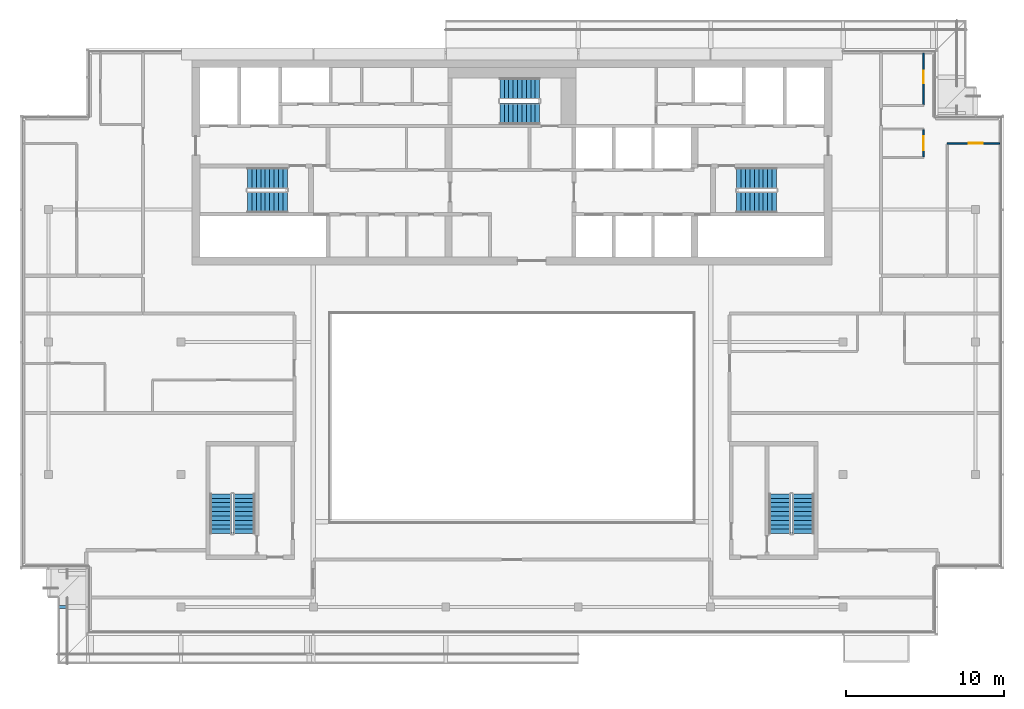
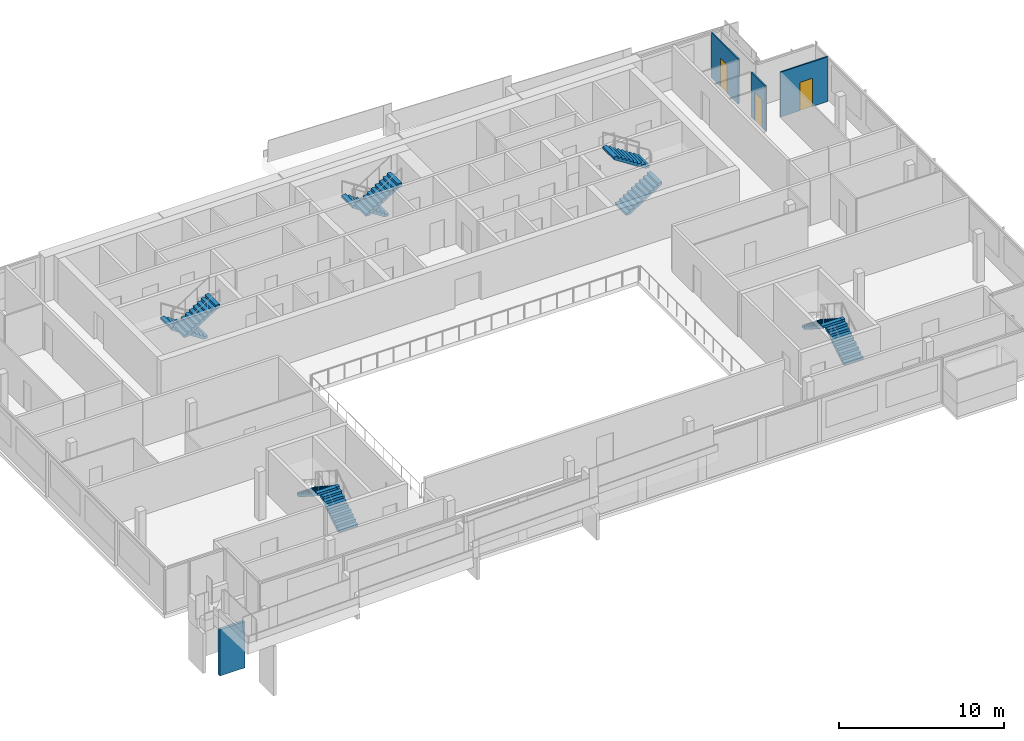
# One storey, part 16 of 22: 10 stair flights, 3 doors, 3 walls, 1 discrete accessory, 3 openings, 5 elements without a shape of their own.
"""IFC4 building model written with IfcOpenShell, lengths in metres."""

import ifcopenshell
import ifcopenshell.guid

model = None  # the IFC model being written
_history = None  # IfcOwnerHistory: only IFC2X3 demands one
_inside = {}  # id of a spatial element -> (the spatial element, [elements in it])
_under = {}  # id of a project, library or spatial element -> (it, [spatial elements below it])
_declared = {}  # id of a project -> (the project, [libraries it declares])
_typed = {}  # id of a type object -> (the type object, [elements of that type])
_made_of = {}  # id of a material, layer set ... -> (it, [elements and type objects made of it])


def new_model(schema):
    """Start an empty IFC model of exactly this schema.

    Asked for "IFC4X3", IfcOpenShell would pick the latest addendum, in which some entities
    have other attributes; the version numbers below select the first issue.
    IFC2X3 requires an IfcOwnerHistory on every rooted entity: one is made here for all.
    """
    global model, _history
    if schema == "IFC4X3":
        model = ifcopenshell.file(schema_version=(4, 3, 0, 0))
    else:
        model = ifcopenshell.file(schema=schema)
    _inside.clear()
    _under.clear()
    _declared.clear()
    _typed.clear()
    _made_of.clear()
    _history = None
    if model.schema == "IFC2X3":
        org = make("IfcOrganization", Name="unknown")
        user = make(
            "IfcPersonAndOrganization",
            ThePerson=make("IfcPerson", FamilyName="unknown"),
            TheOrganization=org,
        )
        app = make(
            "IfcApplication",
            ApplicationDeveloper=org,
            Version="unknown",
            ApplicationFullName="unknown",
            ApplicationIdentifier="unknown",
        )
        _history = make(
            "IfcOwnerHistory",
            OwningUser=user,
            OwningApplication=app,
            ChangeAction="ADDED",
            CreationDate=0,
        )
    return model


def make(cls, **values):
    """One entity of the class cls with the attributes given. An attribute that is None is left unset."""
    return model.create_entity(
        cls, **{name: value for name, value in values.items() if value is not None}
    )


def rooted(cls, **values):
    """An entity with a GlobalId (a new one), such as an element, a storey or a relation."""
    return make(cls, GlobalId=ifcopenshell.guid.new(), OwnerHistory=_history, **values)


def si_unit(unit_type, name, prefix=None):
    """IfcSIUnit, for example si_unit("LENGTHUNIT", "METRE", prefix="MILLI")."""
    return make("IfcSIUnit", UnitType=unit_type, Prefix=prefix, Name=name)


def assignment(units):
    """IfcUnitAssignment: the units of a project."""
    return None if units is None else make("IfcUnitAssignment", Units=units)


def point(xyz):
    """IfcCartesianPoint."""
    return None if xyz is None else make("IfcCartesianPoint", Coordinates=xyz)


def direction(xyz):
    """IfcDirection."""
    return None if xyz is None else make("IfcDirection", DirectionRatios=xyz)


def frame(location, z_axis=None, x_axis=None):
    """IfcAxis2Placement3D, a coordinate frame: its origin and axes. An axis left out is left unset."""
    return make(
        "IfcAxis2Placement3D",
        Location=point(location),
        Axis=direction(z_axis),
        RefDirection=direction(x_axis),
    )


def frame_2d(location, x_axis=None):
    """IfcAxis2Placement2D, a coordinate frame in the plane: its origin and x axis."""
    return make(
        "IfcAxis2Placement2D", Location=point(location), RefDirection=direction(x_axis)
    )


def origin():
    """The frame at (0, 0, 0) with its axes left unset."""
    return frame((0.0, 0.0, 0.0))


def origin_2d():
    """The frame at (0, 0) in the plane with its x axis left unset."""
    return frame_2d((0.0, 0.0))


def place(relative_to, where):
    """IfcLocalPlacement: puts the frame where relative to a parent placement (None: the world)."""
    return make(
        "IfcLocalPlacement", PlacementRelTo=relative_to, RelativePlacement=where
    )


def context(
    kind, dimensions, precision=None, world=None, true_north=None, identifier=None
):
    """IfcGeometricRepresentationContext, for example the 3D "Model" context."""
    return make(
        "IfcGeometricRepresentationContext",
        ContextIdentifier=identifier,
        ContextType=kind,
        CoordinateSpaceDimension=dimensions,
        Precision=precision,
        WorldCoordinateSystem=world,
        TrueNorth=true_north,
    )


def subcontext(parent, identifier, kind, view, scale=None):
    """IfcGeometricRepresentationSubContext, for example "Body" below "Model"."""
    return make(
        "IfcGeometricRepresentationSubContext",
        ContextIdentifier=identifier,
        ContextType=kind,
        ParentContext=parent,
        TargetScale=scale,
        TargetView=view,
    )


def project(units=None, contexts=None):
    """IfcProject with its units and contexts."""
    return rooted(
        "IfcProject",
        Name="project",
        RepresentationContexts=contexts,
        UnitsInContext=assignment(units),
    )


def spatial(cls, under=None, at=None, **own):
    """A site, building, storey or space (cls), placed at a placement, below another one or the project."""
    s = rooted(cls, ObjectPlacement=at, **own)
    if under is not None:
        _under.setdefault(under.id(), (under, []))[1].append(s)
    return s


def polyline(points):
    """IfcPolyline through the points."""
    return make("IfcPolyline", Points=[point(p) for p in points])


def profile(cls, at=None, kind="AREA", **sizes):
    """A parametric profile (cls). Its sizes go by their IFC names, for example OverallWidth=200.0."""
    return make(cls, ProfileType=kind, Position=at, **sizes)


def rectangle(**sizes):
    """IfcRectangleProfileDef."""
    return profile("IfcRectangleProfileDef", **sizes)


def outline(outer, holes=None, kind="AREA"):
    """IfcArbitraryClosedProfileDef: a profile drawn as a closed curve; with holes, ...WithVoids."""
    if holes is None:
        return make("IfcArbitraryClosedProfileDef", ProfileType=kind, OuterCurve=outer)
    return make(
        "IfcArbitraryProfileDefWithVoids",
        ProfileType=kind,
        OuterCurve=outer,
        InnerCurves=holes,
    )


def extrude(swept, where, along, depth):
    """IfcExtrudedAreaSolid: the profile swept, set in the frame where, extruded along a direction by depth."""
    return make(
        "IfcExtrudedAreaSolid",
        SweptArea=swept,
        Position=where,
        ExtrudedDirection=direction(along),
        Depth=depth,
    )


def shape(context_of_items, identifier, shape_type, items):
    """IfcShapeRepresentation: the items that make up one representation, for example the "Body"."""
    return make(
        "IfcShapeRepresentation",
        ContextOfItems=context_of_items,
        RepresentationIdentifier=identifier,
        RepresentationType=shape_type,
        Items=items,
    )


def material(Name=None, Category=None):
    """IfcMaterial."""
    return make("IfcMaterial", Name=Name, Category=Category)


def layer(
    of_material, thickness, ventilated=None, Name=None, Category=None, Priority=None
):
    """IfcMaterialLayer: one layer of a wall or slab, of a material (None: an air gap)."""
    return make(
        "IfcMaterialLayer",
        Material=of_material,
        LayerThickness=thickness,
        IsVentilated=ventilated,
        Name=Name,
        Category=Category,
        Priority=Priority,
    )


def layer_set(layers, Name=None):
    """IfcMaterialLayerSet."""
    return make("IfcMaterialLayerSet", MaterialLayers=layers, LayerSetName=Name)


def made_of(thing, what):
    """Note that an element or type object is made of a material, layer set ...; save() writes the relation."""
    if what is not None:
        _made_of.setdefault(what.id(), (what, []))[1].append(thing)
    return thing


def type_object(cls, material=None, **own):
    """A type object (cls), such as IfcWallType, which elements share."""
    return made_of(rooted(cls, **own), material)


def element(
    cls,
    number,
    at=None,
    inside=None,
    cuts=None,
    type_object=None,
    material=None,
    context=None,
    identifier="Body",
    shape_type=None,
    held_by="IfcProductDefinitionShape",
    body=None,
    shapes=None,
    **own,
):
    """One element of the class cls, such as IfcWall. Its Tag is "e" and its number.

    at: its placement. inside: the storey or other place that contains it. cuts: it is an
    opening in that element (IfcRelVoidsElement). A single representation is given by context,
    identifier, shape_type and body (its items); several are given by shapes. held_by: the class
    of the entity that holds the representations. save() writes the other relations.
    """
    e = rooted(cls, Tag="e%d" % number, ObjectPlacement=at, **own)
    if body is not None:
        shapes = [shape(context, identifier, shape_type, body)]
    if shapes is not None:
        e.Representation = make(held_by, Representations=shapes)
    if inside is not None:
        _inside.setdefault(inside.id(), (inside, []))[1].append(e)
    if cuts is not None:
        rooted(
            "IfcRelVoidsElement", RelatingBuildingElement=cuts, RelatedOpeningElement=e
        )
    if type_object is not None:
        _typed.setdefault(type_object.id(), (type_object, []))[1].append(e)
    return made_of(e, material)


def fill(opening, filler):
    """IfcRelFillsElement: the door or window that sits in an opening."""
    return rooted(
        "IfcRelFillsElement",
        RelatingOpeningElement=opening,
        RelatedBuildingElement=filler,
    )


def aggregate(whole, parts):
    """IfcRelAggregates: a whole, such as a stair, and the parts it consists of."""
    return rooted("IfcRelAggregates", RelatingObject=whole, RelatedObjects=parts)


def save(model, path):
    """Write the relations noted so far, then the file.

    IfcRelAggregates (storeys below a building ...), IfcRelContainedInSpatialStructure (elements
    in a storey), IfcRelDefinesByType, IfcRelAssociatesMaterial and IfcRelDeclares: one each for
    every whole, place, type object, material and project.
    """
    for whole, parts in _under.values():
        aggregate(whole, parts)
    for where, things in _inside.values():
        rooted(
            "IfcRelContainedInSpatialStructure",
            RelatedElements=things,
            RelatingStructure=where,
        )
    for kind, things in _typed.values():
        rooted("IfcRelDefinesByType", RelatedObjects=things, RelatingType=kind)
    for what, things in _made_of.values():
        rooted("IfcRelAssociatesMaterial", RelatedObjects=things, RelatingMaterial=what)
    for by, libraries in _declared.values():
        rooted("IfcRelDeclares", RelatingContext=by, RelatedDefinitions=libraries)
    model.write(path)


model = new_model("IFC4")

# Units and contexts
model_context = context("Model", 3, precision=1e-05, world=origin(), true_north=direction((0.0, 1.0)))
body_context = subcontext(model_context, "Body", "Model", "MODEL_VIEW")
ifc_project = project(units=[si_unit("LENGTHUNIT", "METRE"), si_unit("AREAUNIT", "SQUARE_METRE"), si_unit("VOLUMEUNIT", "CUBIC_METRE"), si_unit("PLANEANGLEUNIT", "RADIAN"), si_unit("MASSUNIT", "GRAM", prefix="KILO")], contexts=[model_context])

# Site, building, storey
site_placement = place(None, origin())
site = spatial("IfcSite", under=ifc_project, at=site_placement, CompositionType="ELEMENT")
building_placement = place(site_placement, origin())
building = spatial("IfcBuilding", under=site, at=building_placement, Name="Saffron Gate Tower", CompositionType="ELEMENT")
storey_placement = place(building_placement, frame((0.0, 0.0, 295.949951171875)))
storey = spatial("IfcBuildingStorey", under=building, at=storey_placement, Name="L72", CompositionType="ELEMENT", Elevation=295.949951171875)

# Wall, opening, door
ifc_material_1 = material(Name="Plasterboard on steel studs", Category="steel")
ifc_layer = layer(ifc_material_1, 0.10009765625)
ifc_layer_set = layer_set([ifc_layer], Name="PW1 Partition 100")
wall_type = type_object("IfcWallType", Name="PW1 Partition 100", PredefinedType="PARTITIONING", material=ifc_layer_set)
wall_1_placement = place(storey_placement, frame((118.52001953125, 69.60009765625, 0.0), z_axis=(0.0, 0.0, 1.0), x_axis=(-1.0, 0.0, 0.0)))
wall_1 = element("IfcWall", 1, at=wall_1_placement, inside=storey, type_object=wall_type, Name="Partition E5-25", PredefinedType="PARTITIONING", context=body_context, shape_type="SweptSolid", body=[
    extrude(rectangle(XDim=3.320068359375, YDim=0.10009765625, at=frame_2d((1.66015625, 0.0))), origin(), (0.0, 0.0, 1.0), 3.320068359375),
])
opening_1_placement = place(wall_1_placement, frame((1.070068359375, 0.0, 0.0)))
opening_1 = element("IfcOpeningElement", 2, at=opening_1_placement, cuts=wall_1, Name="Opening E5-8", PredefinedType="OPENING", context=body_context, shape_type="SweptSolid", body=[
    extrude(rectangle(XDim=0.89990234375, YDim=2.10009765625, at=frame_2d((0.449951171875, 1.050048828125))), frame((0.0, 0.06005859375, 0.0), z_axis=(0.0, -1.0, 0.0), x_axis=(1.0, 0.0, 0.0)), (0.0, 0.0, 1.0), 0.1201171875),
])
ifc_material_2 = material(Name="Timber door set", Category="wood")
door_type_1 = type_object("IfcDoorType", Name="RD1 Room door 900x2100", OperationType="NOTDEFINED", PredefinedType="DOOR", material=ifc_material_2)
door_1_placement = place(opening_1_placement, origin())
door_1 = element("IfcDoor", 3, at=door_1_placement, inside=storey, type_object=door_type_1, Name="Door E5-8", OperationType="SINGLE_SWING_LEFT", OverallHeight=2.10009765625, OverallWidth=0.89990234375, PredefinedType="DOOR", context=body_context, shape_type="SweptSolid", body=[
    extrude(rectangle(XDim=0.89990234375, YDim=2.10009765625, at=frame_2d((0.449951171875, 1.050048828125))), frame((0.0, 0.02490234375, 0.0), z_axis=(0.0, -1.0, 0.0), x_axis=(1.0, 0.0, 0.0)), (0.0, 0.0, 1.0), 0.050048828125),
])
fill(opening_1, door_1)

wall_2_placement = place(storey_placement, frame((113.699951171875, 68.75, 0.0), z_axis=(0.0, 0.0, 1.0), x_axis=(0.0, 1.0, 0.0)))
wall_2 = element("IfcWall", 4, at=wall_2_placement, inside=storey, type_object=wall_type, Name="Partition E5-44", PredefinedType="PARTITIONING", context=body_context, shape_type="SweptSolid", body=[
    extrude(rectangle(XDim=1.699951171875, YDim=0.10009765625, at=frame_2d((0.85009765625, 0.0))), origin(), (0.0, 0.0, 1.0), 3.320068359375),
])
opening_2_placement = place(wall_2_placement, frame((0.39990234375, 0.0, 0.0)))
opening_2 = element("IfcOpeningElement", 5, at=opening_2_placement, cuts=wall_2, Name="Opening E5-9", PredefinedType="OPENING", context=body_context, shape_type="SweptSolid", body=[
    extrude(rectangle(XDim=0.89990234375, YDim=2.10009765625, at=frame_2d((0.449951171875, 1.050048828125))), frame((0.0, 0.06005859375, 0.0), z_axis=(0.0, -1.0, 0.0), x_axis=(1.0, 0.0, 0.0)), (0.0, 0.0, 1.0), 0.1201171875),
])
door_2_placement = place(opening_2_placement, origin())
door_2 = element("IfcDoor", 6, at=door_2_placement, inside=storey, type_object=door_type_1, Name="Door E5-9", OperationType="SINGLE_SWING_LEFT", OverallHeight=2.10009765625, OverallWidth=0.89990234375, PredefinedType="DOOR", context=body_context, shape_type="SweptSolid", body=[
    extrude(rectangle(XDim=0.89990234375, YDim=2.10009765625, at=frame_2d((0.449951171875, 1.050048828125))), frame((0.0, 0.02490234375, 0.0), z_axis=(0.0, -1.0, 0.0), x_axis=(1.0, 0.0, 0.0)), (0.0, 0.0, 1.0), 0.050048828125),
])
fill(opening_2, door_2)

wall_3_placement = place(storey_placement, frame((113.699951171875, 72.050048828125, 0.0), z_axis=(0.0, 0.0, 1.0), x_axis=(0.0, 1.0, 0.0)))
wall_3 = element("IfcWall", 7, at=wall_3_placement, inside=storey, type_object=wall_type, Name="Partition E5-45", PredefinedType="PARTITIONING", context=body_context, shape_type="SweptSolid", body=[
    extrude(rectangle(XDim=3.27001953125, YDim=0.10009765625, at=frame_2d((1.635009765625, 0.0))), origin(), (0.0, 0.0, 1.0), 3.320068359375),
])
opening_3_placement = place(wall_3_placement, frame((1.35009765625, 0.0, 0.0)))
opening_3 = element("IfcOpeningElement", 8, at=opening_3_placement, cuts=wall_3, Name="Opening E5-13", PredefinedType="OPENING", context=body_context, shape_type="SweptSolid", body=[
    extrude(rectangle(XDim=0.800048828125, YDim=2.10009765625, at=frame_2d((0.39990234375, 1.050048828125))), frame((0.0, 0.06005859375, 0.0), z_axis=(0.0, -1.0, 0.0), x_axis=(1.0, 0.0, 0.0)), (0.0, 0.0, 1.0), 0.1201171875),
])
door_type_2 = type_object("IfcDoorType", Name="RD2 Bathroom door 800x2100", OperationType="NOTDEFINED", PredefinedType="DOOR", material=ifc_material_2)
door_3_placement = place(opening_3_placement, origin())
door_3 = element("IfcDoor", 9, at=door_3_placement, inside=storey, type_object=door_type_2, Name="Door E5-13", OperationType="SINGLE_SWING_RIGHT", OverallHeight=2.10009765625, OverallWidth=0.800048828125, PredefinedType="DOOR", context=body_context, shape_type="SweptSolid", body=[
    extrude(rectangle(XDim=0.800048828125, YDim=2.10009765625, at=frame_2d((0.39990234375, 1.050048828125))), frame((0.0, 0.02490234375, 0.0), z_axis=(0.0, -1.0, 0.0), x_axis=(1.0, 0.0, 0.0)), (0.0, 0.0, 1.0), 0.050048828125),
])
fill(opening_3, door_3)

# Stair, stair flights
ifc_material_3 = material(Name="Concrete C40", Category="concrete")
stair_type = type_object("IfcStairType", Name="ST7 Stair 1350 wide, 20 risers of 180", PredefinedType="HALF_TURN_STAIR", material=ifc_material_3)
stair_1_placement = place(storey_placement, origin())
stair_1 = element("IfcStair", 10, at=stair_1_placement, inside=storey, type_object=stair_type, Name="L72 Exit stair A", PredefinedType="HALF_TURN_STAIR")
stair_flight_type = type_object("IfcStairFlightType", Name="SF3 Stair flight 1350 wide, riser 180 going 280", PredefinedType="STRAIGHT", material=ifc_material_3)
stair_flight_1_placement = place(storey_placement, frame((73.35009765625, 67.375, 0.0), z_axis=(0.0, 0.0, 1.0), x_axis=(-1.0, 0.0, 0.0)))
stair_flight_1 = element("IfcStairFlight", 11, at=stair_flight_1_placement, type_object=stair_flight_type, Name="ST-A flight 1", NumberOfRisers=10, NumberOfTreads=9, PredefinedType="STRAIGHT", RiserHeight=0.18, TreadLength=0.28, context=body_context, shape_type="SweptSolid", body=[
    extrude(outline(polyline([(0.0, 0.0), (0.0, 0.179931640625), (0.280029296875, 0.179931640625), (0.280029296875, 0.360107421875), (0.56005859375, 0.360107421875), (0.56005859375, 0.5400390625), (0.840087890625, 0.5400390625), (0.840087890625, 0.719970703125), (1.1201171875, 0.719970703125), (1.1201171875, 0.89990234375), (1.39990234375, 0.89990234375), (1.39990234375, 1.080078125), (1.679931640625, 1.080078125), (1.679931640625, 1.260009765625), (1.9599609375, 1.260009765625), (1.9599609375, 1.43994140625), (2.239990234375, 1.43994140625), (2.239990234375, 1.6201171875), (2.52001953125, 1.6201171875), (2.52001953125, 1.800048828125), (2.52001953125, 1.44189453125), (0.277099609375, 0.0), (0.0, 0.0)])), frame((0.0, 0.675048828125, 0.0), z_axis=(0.0, -1.0, 0.0), x_axis=(1.0, 0.0, 0.0)), (0.0, 0.0, 1.0), 1.35009765625),
])
stair_flight_2_placement = place(storey_placement, frame((70.830078125, 65.875, 1.800048828125), z_axis=(0.0, 0.0, 1.0), x_axis=(1.0, 0.0, 0.0)))
stair_flight_2 = element("IfcStairFlight", 12, at=stair_flight_2_placement, type_object=stair_flight_type, Name="ST-A flight 2", NumberOfRisers=10, NumberOfTreads=9, PredefinedType="STRAIGHT", RiserHeight=0.18, TreadLength=0.28, context=body_context, shape_type="SweptSolid", body=[
    extrude(outline(polyline([(0.0, 0.0), (0.0, 0.179931640625), (0.280029296875, 0.179931640625), (0.280029296875, 0.360107421875), (0.56005859375, 0.360107421875), (0.56005859375, 0.5400390625), (0.840087890625, 0.5400390625), (0.840087890625, 0.719970703125), (1.1201171875, 0.719970703125), (1.1201171875, 0.89990234375), (1.39990234375, 0.89990234375), (1.39990234375, 1.080078125), (1.679931640625, 1.080078125), (1.679931640625, 1.260009765625), (1.9599609375, 1.260009765625), (1.9599609375, 1.43994140625), (2.239990234375, 1.43994140625), (2.239990234375, 1.6201171875), (2.52001953125, 1.6201171875), (2.52001953125, 1.800048828125), (2.52001953125, 1.44189453125), (0.277099609375, 0.0), (0.0, 0.0)])), frame((0.0, 0.675048828125, 0.0), z_axis=(0.0, -1.0, 0.0), x_axis=(1.0, 0.0, 0.0)), (0.0, 0.0, 1.0), 1.35009765625),
])
aggregate(stair_1, [stair_flight_1, stair_flight_2])

stair_2_placement = place(storey_placement, origin())
stair_2 = element("IfcStair", 13, at=stair_2_placement, inside=storey, type_object=stair_type, Name="L72 Exit stair B", PredefinedType="HALF_TURN_STAIR")
stair_flight_3_placement = place(storey_placement, frame((101.85009765625, 65.875, 0.0), z_axis=(0.0, 0.0, 1.0), x_axis=(1.0, 0.0, 0.0)))
stair_flight_3 = element("IfcStairFlight", 14, at=stair_flight_3_placement, type_object=stair_flight_type, Name="ST-B flight 1", NumberOfRisers=10, NumberOfTreads=9, PredefinedType="STRAIGHT", RiserHeight=0.18, TreadLength=0.28, context=body_context, shape_type="SweptSolid", body=[
    extrude(outline(polyline([(0.0, 0.0), (0.0, 0.179931640625), (0.280029296875, 0.179931640625), (0.280029296875, 0.360107421875), (0.56005859375, 0.360107421875), (0.56005859375, 0.5400390625), (0.840087890625, 0.5400390625), (0.840087890625, 0.719970703125), (1.1201171875, 0.719970703125), (1.1201171875, 0.89990234375), (1.39990234375, 0.89990234375), (1.39990234375, 1.080078125), (1.679931640625, 1.080078125), (1.679931640625, 1.260009765625), (1.9599609375, 1.260009765625), (1.9599609375, 1.43994140625), (2.239990234375, 1.43994140625), (2.239990234375, 1.6201171875), (2.52001953125, 1.6201171875), (2.52001953125, 1.800048828125), (2.52001953125, 1.44189453125), (0.277099609375, 0.0), (0.0, 0.0)])), frame((0.0, 0.675048828125, 0.0), z_axis=(0.0, -1.0, 0.0), x_axis=(1.0, 0.0, 0.0)), (0.0, 0.0, 1.0), 1.35009765625),
])
stair_flight_4_placement = place(storey_placement, frame((104.3701171875, 67.375, 1.800048828125), z_axis=(0.0, 0.0, 1.0), x_axis=(-1.0, 0.0, 0.0)))
stair_flight_4 = element("IfcStairFlight", 15, at=stair_flight_4_placement, type_object=stair_flight_type, Name="ST-B flight 2", NumberOfRisers=10, NumberOfTreads=9, PredefinedType="STRAIGHT", RiserHeight=0.18, TreadLength=0.28, context=body_context, shape_type="SweptSolid", body=[
    extrude(outline(polyline([(0.0, 0.0), (0.0, 0.179931640625), (0.280029296875, 0.179931640625), (0.280029296875, 0.360107421875), (0.56005859375, 0.360107421875), (0.56005859375, 0.5400390625), (0.840087890625, 0.5400390625), (0.840087890625, 0.719970703125), (1.1201171875, 0.719970703125), (1.1201171875, 0.89990234375), (1.39990234375, 0.89990234375), (1.39990234375, 1.080078125), (1.679931640625, 1.080078125), (1.679931640625, 1.260009765625), (1.9599609375, 1.260009765625), (1.9599609375, 1.43994140625), (2.239990234375, 1.43994140625), (2.239990234375, 1.6201171875), (2.52001953125, 1.6201171875), (2.52001953125, 1.800048828125), (2.52001953125, 1.44189453125), (0.277099609375, 0.0), (0.0, 0.0)])), frame((0.0, 0.675048828125, 0.0), z_axis=(0.0, -1.0, 0.0), x_axis=(1.0, 0.0, 0.0)), (0.0, 0.0, 1.0), 1.35009765625),
])
aggregate(stair_2, [stair_flight_3, stair_flight_4])

stair_3_placement = place(storey_placement, origin())
stair_3 = element("IfcStair", 16, at=stair_3_placement, inside=storey, type_object=stair_type, Name="L72 Exit stair C", PredefinedType="HALF_TURN_STAIR")
stair_flight_5_placement = place(storey_placement, frame((89.35009765625, 73.074951171875, 0.0), z_axis=(0.0, 0.0, 1.0), x_axis=(-1.0, 0.0, 0.0)))
stair_flight_5 = element("IfcStairFlight", 17, at=stair_flight_5_placement, type_object=stair_flight_type, Name="ST-C flight 1", NumberOfRisers=10, NumberOfTreads=9, PredefinedType="STRAIGHT", RiserHeight=0.18, TreadLength=0.28, context=body_context, shape_type="SweptSolid", body=[
    extrude(outline(polyline([(0.0, 0.0), (0.0, 0.179931640625), (0.280029296875, 0.179931640625), (0.280029296875, 0.360107421875), (0.56005859375, 0.360107421875), (0.56005859375, 0.5400390625), (0.840087890625, 0.5400390625), (0.840087890625, 0.719970703125), (1.1201171875, 0.719970703125), (1.1201171875, 0.89990234375), (1.39990234375, 0.89990234375), (1.39990234375, 1.080078125), (1.679931640625, 1.080078125), (1.679931640625, 1.260009765625), (1.9599609375, 1.260009765625), (1.9599609375, 1.43994140625), (2.239990234375, 1.43994140625), (2.239990234375, 1.6201171875), (2.52001953125, 1.6201171875), (2.52001953125, 1.800048828125), (2.52001953125, 1.44189453125), (0.277099609375, 0.0), (0.0, 0.0)])), frame((0.0, 0.675048828125, 0.0), z_axis=(0.0, -1.0, 0.0), x_axis=(1.0, 0.0, 0.0)), (0.0, 0.0, 1.0), 1.35009765625),
])
stair_flight_6_placement = place(storey_placement, frame((86.830078125, 71.47509765625, 1.800048828125), z_axis=(0.0, 0.0, 1.0), x_axis=(1.0, 0.0, 0.0)))
stair_flight_6 = element("IfcStairFlight", 18, at=stair_flight_6_placement, type_object=stair_flight_type, Name="ST-C flight 2", NumberOfRisers=10, NumberOfTreads=9, PredefinedType="STRAIGHT", RiserHeight=0.18, TreadLength=0.28, context=body_context, shape_type="SweptSolid", body=[
    extrude(outline(polyline([(0.0, 0.0), (0.0, 0.179931640625), (0.280029296875, 0.179931640625), (0.280029296875, 0.360107421875), (0.56005859375, 0.360107421875), (0.56005859375, 0.5400390625), (0.840087890625, 0.5400390625), (0.840087890625, 0.719970703125), (1.1201171875, 0.719970703125), (1.1201171875, 0.89990234375), (1.39990234375, 0.89990234375), (1.39990234375, 1.080078125), (1.679931640625, 1.080078125), (1.679931640625, 1.260009765625), (1.9599609375, 1.260009765625), (1.9599609375, 1.43994140625), (2.239990234375, 1.43994140625), (2.239990234375, 1.6201171875), (2.52001953125, 1.6201171875), (2.52001953125, 1.800048828125), (2.52001953125, 1.44189453125), (0.277099609375, 0.0), (0.0, 0.0)])), frame((0.0, 0.675048828125, 0.0), z_axis=(0.0, -1.0, 0.0), x_axis=(1.0, 0.0, 0.0)), (0.0, 0.0, 1.0), 1.35009765625),
])
aggregate(stair_3, [stair_flight_5, stair_flight_6])

stair_4_placement = place(storey_placement, origin())
stair_4 = element("IfcStair", 19, at=stair_4_placement, inside=storey, type_object=stair_type, Name="L72 Exit stair D", PredefinedType="HALF_TURN_STAIR")
stair_flight_7_placement = place(storey_placement, frame((70.625, 44.85009765625, 0.0), z_axis=(0.0, 0.0, 1.0), x_axis=(0.0, 1.0, 0.0)))
stair_flight_7 = element("IfcStairFlight", 20, at=stair_flight_7_placement, type_object=stair_flight_type, Name="ST-D flight 1", NumberOfRisers=10, NumberOfTreads=9, PredefinedType="STRAIGHT", RiserHeight=0.18, TreadLength=0.28, context=body_context, shape_type="SweptSolid", body=[
    extrude(outline(polyline([(0.0, 0.0), (0.0, 0.179931640625), (0.280029296875, 0.179931640625), (0.280029296875, 0.360107421875), (0.56005859375, 0.360107421875), (0.56005859375, 0.5400390625), (0.840087890625, 0.5400390625), (0.840087890625, 0.719970703125), (1.1201171875, 0.719970703125), (1.1201171875, 0.89990234375), (1.39990234375, 0.89990234375), (1.39990234375, 1.080078125), (1.679931640625, 1.080078125), (1.679931640625, 1.260009765625), (1.9599609375, 1.260009765625), (1.9599609375, 1.43994140625), (2.239990234375, 1.43994140625), (2.239990234375, 1.6201171875), (2.52001953125, 1.6201171875), (2.52001953125, 1.800048828125), (2.52001953125, 1.44189453125), (0.277099609375, 0.0), (0.0, 0.0)])), frame((0.0, 0.675048828125, 0.0), z_axis=(0.0, -1.0, 0.0), x_axis=(1.0, 0.0, 0.0)), (0.0, 0.0, 1.0), 1.35009765625),
])
stair_flight_8_placement = place(storey_placement, frame((69.125, 47.3701171875, 1.800048828125), z_axis=(0.0, 0.0, 1.0), x_axis=(0.0, -1.0, 0.0)))
stair_flight_8 = element("IfcStairFlight", 21, at=stair_flight_8_placement, type_object=stair_flight_type, Name="ST-D flight 2", NumberOfRisers=10, NumberOfTreads=9, PredefinedType="STRAIGHT", RiserHeight=0.18, TreadLength=0.28, context=body_context, shape_type="SweptSolid", body=[
    extrude(outline(polyline([(0.0, 0.0), (0.0, 0.179931640625), (0.280029296875, 0.179931640625), (0.280029296875, 0.360107421875), (0.56005859375, 0.360107421875), (0.56005859375, 0.5400390625), (0.840087890625, 0.5400390625), (0.840087890625, 0.719970703125), (1.1201171875, 0.719970703125), (1.1201171875, 0.89990234375), (1.39990234375, 0.89990234375), (1.39990234375, 1.080078125), (1.679931640625, 1.080078125), (1.679931640625, 1.260009765625), (1.9599609375, 1.260009765625), (1.9599609375, 1.43994140625), (2.239990234375, 1.43994140625), (2.239990234375, 1.6201171875), (2.52001953125, 1.6201171875), (2.52001953125, 1.800048828125), (2.52001953125, 1.44189453125), (0.277099609375, 0.0), (0.0, 0.0)])), frame((0.0, 0.675048828125, 0.0), z_axis=(0.0, -1.0, 0.0), x_axis=(1.0, 0.0, 0.0)), (0.0, 0.0, 1.0), 1.35009765625),
])
aggregate(stair_4, [stair_flight_7, stair_flight_8])

stair_5_placement = place(storey_placement, origin())
stair_5 = element("IfcStair", 22, at=stair_5_placement, inside=storey, type_object=stair_type, Name="L72 Exit stair E", PredefinedType="HALF_TURN_STAIR")
stair_flight_9_placement = place(storey_placement, frame((106.074951171875, 44.85009765625, 0.0), z_axis=(0.0, 0.0, 1.0), x_axis=(0.0, 1.0, 0.0)))
stair_flight_9 = element("IfcStairFlight", 23, at=stair_flight_9_placement, type_object=stair_flight_type, Name="ST-E flight 1", NumberOfRisers=10, NumberOfTreads=9, PredefinedType="STRAIGHT", RiserHeight=0.18, TreadLength=0.28, context=body_context, shape_type="SweptSolid", body=[
    extrude(outline(polyline([(0.0, 0.0), (0.0, 0.179931640625), (0.280029296875, 0.179931640625), (0.280029296875, 0.360107421875), (0.56005859375, 0.360107421875), (0.56005859375, 0.5400390625), (0.840087890625, 0.5400390625), (0.840087890625, 0.719970703125), (1.1201171875, 0.719970703125), (1.1201171875, 0.89990234375), (1.39990234375, 0.89990234375), (1.39990234375, 1.080078125), (1.679931640625, 1.080078125), (1.679931640625, 1.260009765625), (1.9599609375, 1.260009765625), (1.9599609375, 1.43994140625), (2.239990234375, 1.43994140625), (2.239990234375, 1.6201171875), (2.52001953125, 1.6201171875), (2.52001953125, 1.800048828125), (2.52001953125, 1.44189453125), (0.277099609375, 0.0), (0.0, 0.0)])), frame((0.0, 0.675048828125, 0.0), z_axis=(0.0, -1.0, 0.0), x_axis=(1.0, 0.0, 0.0)), (0.0, 0.0, 1.0), 1.35009765625),
])
stair_flight_10_placement = place(storey_placement, frame((104.574951171875, 47.3701171875, 1.800048828125), z_axis=(0.0, 0.0, 1.0), x_axis=(0.0, -1.0, 0.0)))
stair_flight_10 = element("IfcStairFlight", 24, at=stair_flight_10_placement, type_object=stair_flight_type, Name="ST-E flight 2", NumberOfRisers=10, NumberOfTreads=9, PredefinedType="STRAIGHT", RiserHeight=0.18, TreadLength=0.28, context=body_context, shape_type="SweptSolid", body=[
    extrude(outline(polyline([(0.0, 0.0), (0.0, 0.179931640625), (0.280029296875, 0.179931640625), (0.280029296875, 0.360107421875), (0.56005859375, 0.360107421875), (0.56005859375, 0.5400390625), (0.840087890625, 0.5400390625), (0.840087890625, 0.719970703125), (1.1201171875, 0.719970703125), (1.1201171875, 0.89990234375), (1.39990234375, 0.89990234375), (1.39990234375, 1.080078125), (1.679931640625, 1.080078125), (1.679931640625, 1.260009765625), (1.9599609375, 1.260009765625), (1.9599609375, 1.43994140625), (2.239990234375, 1.43994140625), (2.239990234375, 1.6201171875), (2.52001953125, 1.6201171875), (2.52001953125, 1.800048828125), (2.52001953125, 1.44189453125), (0.277099609375, 0.0), (0.0, 0.0)])), frame((0.0, 0.675048828125, 0.0), z_axis=(0.0, -1.0, 0.0), x_axis=(1.0, 0.0, 0.0)), (0.0, 0.0, 1.0), 1.35009765625),
])
aggregate(stair_5, [stair_flight_9, stair_flight_10])

# Discrete accessory
discrete_accessory_placement = place(storey_placement, frame((59.72509765625, 40.199951171875, -3.8798828125), z_axis=(0.0, 0.0, 1.0), x_axis=(0.0, -1.0, 0.0)))
element("IfcDiscreteAccessory", 25, at=discrete_accessory_placement, inside=storey, Name="LEDGE rib", PredefinedType="BRACKET", context=body_context, shape_type="SweptSolid", body=[
    extrude(rectangle(XDim=0.199951171875, YDim=1.75, at=origin_2d()), origin(), (0.0, 0.0, 1.0), 3.429931640625),
])

save(model, "model.ifc")
